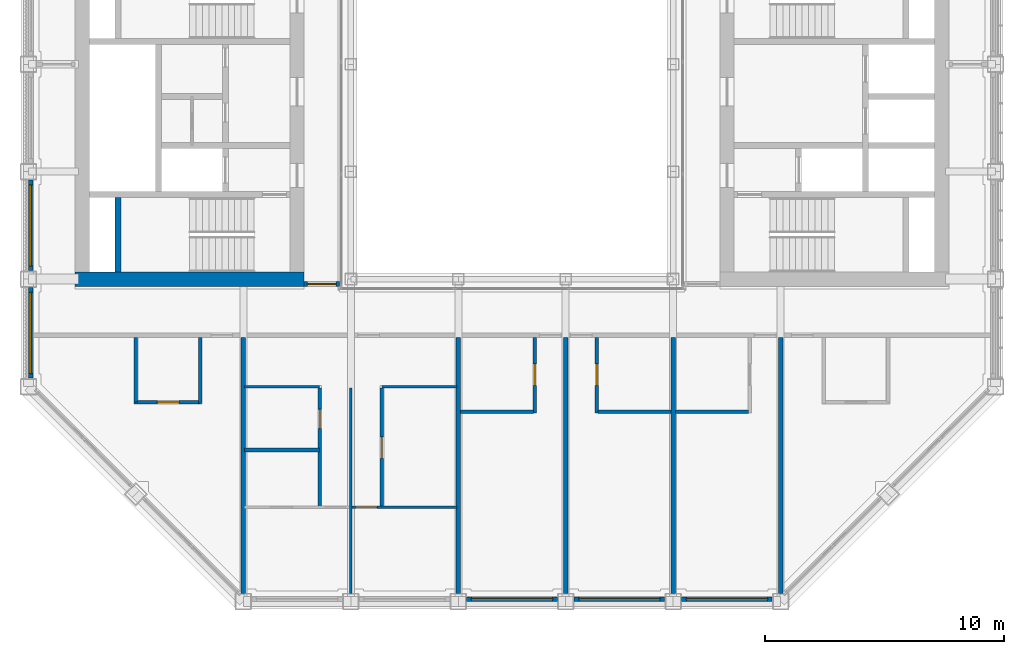
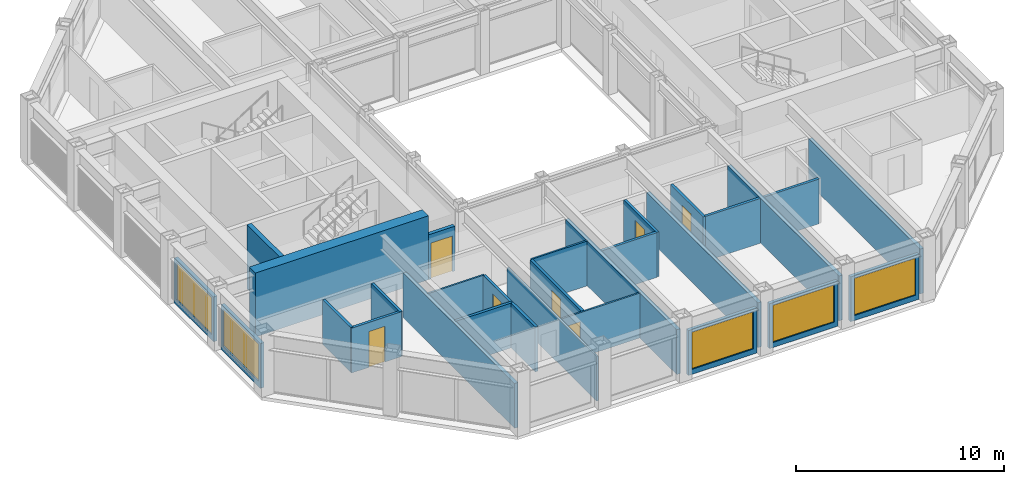
# One storey, part 9 of 18: 28 walls, 7 doors, 5 windows, 12 openings.
"""IFC4 building model written with IfcOpenShell, lengths in metres."""

from ifc_helpers import new_model, si_unit, direction, frame, frame_2d, origin, place, context, subcontext, project, spatial, rectangle, extrude, material, layer, layer_set, type_object, element, fill, save


model = new_model("IFC4")

# Units and contexts
model_context = context("Model", 3, precision=1e-05, world=origin(), true_north=direction((0.0, 1.0)))
body_context = subcontext(model_context, "Body", "Model", "MODEL_VIEW")
ifc_project = project(units=[si_unit("LENGTHUNIT", "METRE"), si_unit("AREAUNIT", "SQUARE_METRE"), si_unit("VOLUMEUNIT", "CUBIC_METRE"), si_unit("PLANEANGLEUNIT", "RADIAN"), si_unit("MASSUNIT", "GRAM", prefix="KILO")], contexts=[model_context])

# Site, building, storey
site_placement = place(None, origin())
site = spatial("IfcSite", under=ifc_project, at=site_placement, CompositionType="ELEMENT")
building_placement = place(site_placement, origin())
building = spatial("IfcBuilding", under=site, at=building_placement, Name="Msasa Ring Tower", CompositionType="ELEMENT")
storey_placement = place(building_placement, frame((0.0, 0.0, 223.300048828125)))
storey = spatial("IfcBuildingStorey", under=building, at=storey_placement, Name="L58", CompositionType="ELEMENT", Elevation=223.300048828125)

# Walls
ifc_material_1 = material(Name="Concrete C60/75", Category="concrete")
ifc_layer_1 = layer(ifc_material_1, 0.60009765625)
ifc_layer_set_1 = layer_set([ifc_layer_1], Name="CW3 CORE WALL 600")
wall_type_1 = type_object("IfcWallType", Name="CW3 CORE WALL 600", PredefinedType="SHEAR", material=ifc_layer_set_1)
wall_1_placement = place(storey_placement, frame((-8.699951171875, -6.75, 0.0), z_axis=(0.0, 0.0, 1.0), x_axis=(-1.0, 0.0, 0.0)))
element("IfcWall", 1, at=wall_1_placement, inside=storey, type_object=wall_type_1, Name="W core wall S L58", PredefinedType="SHEAR", context=body_context, shape_type="SweptSolid", body=[
    extrude(rectangle(XDim=9.60009765625, YDim=0.60009765625, at=frame_2d((4.800048828125, 0.0))), origin(), (0.0, 0.0, 1.0), 3.75),
])
ifc_material_2 = material(Name="Concrete C60/75", Category="concrete")
ifc_layer_2 = layer(ifc_material_2, 0.25)
ifc_layer_set_2 = layer_set([ifc_layer_2], Name="CW4 CORE INNER WALL 250")
wall_type_2 = type_object("IfcWallType", Name="CW4 CORE INNER WALL 250", PredefinedType="SHEAR", material=ifc_layer_set_2)
wall_2_placement = place(storey_placement, frame((-16.5, -6.449951171875, 0.0), z_axis=(0.0, 0.0, 1.0), x_axis=(0.0, 1.0, 0.0)))
element("IfcWall", 2, at=wall_2_placement, inside=storey, type_object=wall_type_2, Name="W core wall RISERA L58", PredefinedType="SHEAR", context=body_context, shape_type="SweptSolid", body=[
    extrude(rectangle(XDim=3.125, YDim=0.25, at=frame_2d((1.5625, 0.0))), origin(), (0.0, 0.0, 1.0), 3.75),
])

# Wall, opening, window
ifc_material_3 = material(Name="Terracotta rainscreen on blockwork", Category="masonry")
ifc_layer_3 = layer(ifc_material_3, 0.199951171875)
ifc_layer_set_3 = layer_set([ifc_layer_3], Name="FW1 TERRACOTTA-LINED INFILL BAY WALL 200")
wall_type_3 = type_object("IfcWallType", Name="FW1 TERRACOTTA-LINED INFILL BAY WALL 200", PredefinedType="SOLIDWALL", material=ifc_layer_set_3)
wall_3_placement = place(storey_placement, frame((-1.89501953125, -20.14990234375, 0.0), z_axis=(0.0, 0.0, 1.0), x_axis=(1.0, 0.0, 0.0)))
wall_3 = element("IfcWall", 3, at=wall_3_placement, inside=storey, type_object=wall_type_3, Name="Infill bay wall S L58 02", PredefinedType="SOLIDWALL", context=body_context, shape_type="SweptSolid", body=[
    extrude(rectangle(XDim=3.7900390625, YDim=0.199951171875, at=frame_2d((1.89501953125, 0.0))), origin(), (0.0, 0.0, 1.0), 2.62890625),
])
opening_1_placement = place(wall_3_placement, frame((0.195068359375, 0.0, 0.300048828125)))
opening_1 = element("IfcOpeningElement", 4, at=opening_1_placement, cuts=wall_3, Name="Opening WN3", PredefinedType="OPENING", context=body_context, shape_type="SweptSolid", body=[
    extrude(rectangle(XDim=3.39990234375, YDim=2.178955078125, at=frame_2d((1.699951171875, 1.08935546875))), frame((0.0, 0.10986328125, 0.0), z_axis=(0.0, -1.0, 0.0), x_axis=(1.0, 0.0, 0.0)), (0.0, 0.0, 1.0), 0.219970703125),
])
ifc_material_4 = material(Name="Aluminium frame with clear glass", Category="aluminium")
window_type = type_object("IfcWindowType", Name="WN3 SUITE WINDOW 3400x2179", PartitioningType="SINGLE_PANEL", PredefinedType="WINDOW", material=ifc_material_4)
window_1_placement = place(opening_1_placement, origin())
window_1 = element("IfcWindow", 5, at=window_1_placement, inside=storey, type_object=window_type, Name="Window S L58 02", OverallHeight=2.178955078125, OverallWidth=3.39990234375, PartitioningType="SINGLE_PANEL", PredefinedType="WINDOW", context=body_context, shape_type="SweptSolid", body=[
    extrude(rectangle(XDim=3.39990234375, YDim=2.178955078125, at=frame_2d((1.699951171875, 1.08935546875))), frame((0.0, 0.030029296875, 0.0), z_axis=(0.0, -1.0, 0.0), x_axis=(1.0, 0.0, 0.0)), (0.0, 0.0, 1.0), 0.06005859375),
])
fill(opening_1, window_1)

wall_4_placement = place(storey_placement, frame((2.60498046875, -20.14990234375, 0.0), z_axis=(0.0, 0.0, 1.0), x_axis=(1.0, 0.0, 0.0)))
wall_4 = element("IfcWall", 6, at=wall_4_placement, inside=storey, type_object=wall_type_3, Name="Infill bay wall S L58 03", PredefinedType="SOLIDWALL", context=body_context, shape_type="SweptSolid", body=[
    extrude(rectangle(XDim=3.7900390625, YDim=0.199951171875, at=frame_2d((1.89501953125, 0.0))), origin(), (0.0, 0.0, 1.0), 2.62890625),
])
opening_2_placement = place(wall_4_placement, frame((0.195068359375, 0.0, 0.300048828125)))
opening_2 = element("IfcOpeningElement", 7, at=opening_2_placement, cuts=wall_4, Name="Opening WN3", PredefinedType="OPENING", context=body_context, shape_type="SweptSolid", body=[
    extrude(rectangle(XDim=3.39990234375, YDim=2.178955078125, at=frame_2d((1.699951171875, 1.08935546875))), frame((0.0, 0.10986328125, 0.0), z_axis=(0.0, -1.0, 0.0), x_axis=(1.0, 0.0, 0.0)), (0.0, 0.0, 1.0), 0.219970703125),
])
window_2_placement = place(opening_2_placement, origin())
window_2 = element("IfcWindow", 8, at=window_2_placement, inside=storey, type_object=window_type, Name="Window S L58 03", OverallHeight=2.178955078125, OverallWidth=3.39990234375, PartitioningType="SINGLE_PANEL", PredefinedType="WINDOW", context=body_context, shape_type="SweptSolid", body=[
    extrude(rectangle(XDim=3.39990234375, YDim=2.178955078125, at=frame_2d((1.699951171875, 1.08935546875))), frame((0.0, 0.030029296875, 0.0), z_axis=(0.0, -1.0, 0.0), x_axis=(1.0, 0.0, 0.0)), (0.0, 0.0, 1.0), 0.06005859375),
])
fill(opening_2, window_2)

wall_5_placement = place(storey_placement, frame((7.10498046875, -20.14990234375, 0.0), z_axis=(0.0, 0.0, 1.0), x_axis=(1.0, 0.0, 0.0)))
wall_5 = element("IfcWall", 9, at=wall_5_placement, inside=storey, type_object=wall_type_3, Name="Infill bay wall S L58 04", PredefinedType="SOLIDWALL", context=body_context, shape_type="SweptSolid", body=[
    extrude(rectangle(XDim=3.7900390625, YDim=0.199951171875, at=frame_2d((1.89501953125, 0.0))), origin(), (0.0, 0.0, 1.0), 2.62890625),
])
opening_3_placement = place(wall_5_placement, frame((0.195068359375, 0.0, 0.300048828125)))
opening_3 = element("IfcOpeningElement", 10, at=opening_3_placement, cuts=wall_5, Name="Opening WN3", PredefinedType="OPENING", context=body_context, shape_type="SweptSolid", body=[
    extrude(rectangle(XDim=3.39990234375, YDim=2.178955078125, at=frame_2d((1.699951171875, 1.08935546875))), frame((0.0, 0.10986328125, 0.0), z_axis=(0.0, -1.0, 0.0), x_axis=(1.0, 0.0, 0.0)), (0.0, 0.0, 1.0), 0.219970703125),
])
window_3_placement = place(opening_3_placement, origin())
window_3 = element("IfcWindow", 11, at=window_3_placement, inside=storey, type_object=window_type, Name="Window S L58 04", OverallHeight=2.178955078125, OverallWidth=3.39990234375, PartitioningType="SINGLE_PANEL", PredefinedType="WINDOW", context=body_context, shape_type="SweptSolid", body=[
    extrude(rectangle(XDim=3.39990234375, YDim=2.178955078125, at=frame_2d((1.699951171875, 1.08935546875))), frame((0.0, 0.030029296875, 0.0), z_axis=(0.0, -1.0, 0.0), x_axis=(1.0, 0.0, 0.0)), (0.0, 0.0, 1.0), 0.06005859375),
])
fill(opening_3, window_3)

wall_6_placement = place(storey_placement, frame((-20.14990234375, -10.89501953125, 0.0), z_axis=(0.0, 0.0, 1.0), x_axis=(0.0, 1.0, 0.0)))
wall_6 = element("IfcWall", 12, at=wall_6_placement, inside=storey, type_object=wall_type_3, Name="Infill bay wall W L58 21", PredefinedType="SOLIDWALL", context=body_context, shape_type="SweptSolid", body=[
    extrude(rectangle(XDim=3.7900390625, YDim=0.199951171875, at=frame_2d((1.89501953125, 0.0))), origin(), (0.0, 0.0, 1.0), 2.62890625),
])
opening_4_placement = place(wall_6_placement, frame((0.195068359375, 0.0, 0.300048828125)))
opening_4 = element("IfcOpeningElement", 13, at=opening_4_placement, cuts=wall_6, Name="Opening WN3", PredefinedType="OPENING", context=body_context, shape_type="SweptSolid", body=[
    extrude(rectangle(XDim=3.39990234375, YDim=2.178955078125, at=frame_2d((1.699951171875, 1.08935546875))), frame((0.0, 0.10986328125, 0.0), z_axis=(0.0, -1.0, 0.0), x_axis=(1.0, 0.0, 0.0)), (0.0, 0.0, 1.0), 0.219970703125),
])
window_4_placement = place(opening_4_placement, origin())
window_4 = element("IfcWindow", 14, at=window_4_placement, inside=storey, type_object=window_type, Name="Window W L58 21", OverallHeight=2.178955078125, OverallWidth=3.39990234375, PartitioningType="SINGLE_PANEL", PredefinedType="WINDOW", context=body_context, shape_type="SweptSolid", body=[
    extrude(rectangle(XDim=3.39990234375, YDim=2.178955078125, at=frame_2d((1.699951171875, 1.08935546875))), frame((0.0, 0.030029296875, 0.0), z_axis=(0.0, -1.0, 0.0), x_axis=(1.0, 0.0, 0.0)), (0.0, 0.0, 1.0), 0.06005859375),
])
fill(opening_4, window_4)

wall_7_placement = place(storey_placement, frame((-20.14990234375, -6.39501953125, 0.0), z_axis=(0.0, 0.0, 1.0), x_axis=(0.0, 1.0, 0.0)))
wall_7 = element("IfcWall", 15, at=wall_7_placement, inside=storey, type_object=wall_type_3, Name="Infill bay wall W L58 22", PredefinedType="SOLIDWALL", context=body_context, shape_type="SweptSolid", body=[
    extrude(rectangle(XDim=3.7900390625, YDim=0.199951171875, at=frame_2d((1.89501953125, 0.0))), origin(), (0.0, 0.0, 1.0), 2.62890625),
])
opening_5_placement = place(wall_7_placement, frame((0.195068359375, 0.0, 0.300048828125)))
opening_5 = element("IfcOpeningElement", 16, at=opening_5_placement, cuts=wall_7, Name="Opening WN3", PredefinedType="OPENING", context=body_context, shape_type="SweptSolid", body=[
    extrude(rectangle(XDim=3.39990234375, YDim=2.178955078125, at=frame_2d((1.699951171875, 1.08935546875))), frame((0.0, 0.10986328125, 0.0), z_axis=(0.0, -1.0, 0.0), x_axis=(1.0, 0.0, 0.0)), (0.0, 0.0, 1.0), 0.219970703125),
])
window_5_placement = place(opening_5_placement, origin())
window_5 = element("IfcWindow", 17, at=window_5_placement, inside=storey, type_object=window_type, Name="Window W L58 22", OverallHeight=2.178955078125, OverallWidth=3.39990234375, PartitioningType="SINGLE_PANEL", PredefinedType="WINDOW", context=body_context, shape_type="SweptSolid", body=[
    extrude(rectangle(XDim=3.39990234375, YDim=2.178955078125, at=frame_2d((1.699951171875, 1.08935546875))), frame((0.0, 0.030029296875, 0.0), z_axis=(0.0, -1.0, 0.0), x_axis=(1.0, 0.0, 0.0)), (0.0, 0.0, 1.0), 0.06005859375),
])
fill(opening_5, window_5)

# Wall, opening, door
ifc_material_5 = material(Name="Concrete blockwork", Category="masonry")
ifc_layer_4 = layer(ifc_material_5, 0.199951171875)
ifc_layer_set_4 = layer_set([ifc_layer_4], Name="PT1 CORRIDOR WALL 200")
wall_type_4 = type_object("IfcWallType", Name="PT1 CORRIDOR WALL 200", PredefinedType="PARTITIONING", material=ifc_layer_set_4)
wall_8_placement = place(storey_placement, frame((-8.699951171875, -6.949951171875, 0.0), z_axis=(0.0, 0.0, 1.0), x_axis=(1.0, 0.0, 0.0)))
wall_8 = element("IfcWall", 18, at=wall_8_placement, inside=storey, type_object=wall_type_4, Name="Corridor wall L58-SDWS", PredefinedType="PARTITIONING", context=body_context, shape_type="SweptSolid", body=[
    extrude(rectangle(XDim=1.469970703125, YDim=0.199951171875, at=frame_2d((0.73486328125, 0.0))), origin(), (0.0, 0.0, 1.0), 2.62890625),
])
opening_6_placement = place(wall_8_placement, frame((0.135009765625, 0.0, 0.0)))
opening_6 = element("IfcOpeningElement", 19, at=opening_6_placement, cuts=wall_8, Name="Opening SC-034", PredefinedType="OPENING", context=body_context, shape_type="SweptSolid", body=[
    extrude(rectangle(XDim=1.199951171875, YDim=2.10009765625, at=frame_2d((0.60009765625, 1.050048828125))), frame((0.0, 0.10986328125, 0.0), z_axis=(0.0, -1.0, 0.0), x_axis=(1.0, 0.0, 0.0)), (0.0, 0.0, 1.0), 0.219970703125),
])
ifc_material_6 = material(Name="Timber door leaf in a steel frame", Category="steel")
door_type_1 = type_object("IfcDoorType", Name="D25 CORRIDOR PAIR OF SMOKE DOORS 1200x2100", OperationType="DOUBLE_DOOR_DOUBLE_SWING", PredefinedType="DOOR", material=ifc_material_6)
door_1_placement = place(opening_6_placement, origin())
door_1 = element("IfcDoor", 20, at=door_1_placement, inside=storey, type_object=door_type_1, Name="Door L58-SDWS", OperationType="DOUBLE_DOOR_DOUBLE_SWING", OverallHeight=2.10009765625, OverallWidth=1.199951171875, PredefinedType="DOOR", context=body_context, shape_type="SweptSolid", body=[
    extrude(rectangle(XDim=1.199951171875, YDim=2.10009765625, at=frame_2d((0.60009765625, 1.050048828125))), frame((0.0, 0.02490234375, 0.0), z_axis=(0.0, -1.0, 0.0), x_axis=(1.0, 0.0, 0.0)), (0.0, 0.0, 1.0), 0.050048828125),
])
fill(opening_6, door_1)

# Wall
ifc_material_7 = material(Name="Gypsum board on steel studs", Category="steel")
ifc_layer_5 = layer(ifc_material_7, 0.10009765625)
ifc_layer_set_5 = layer_set([ifc_layer_5], Name="PT2 STUD PARTITION 100")
wall_type_5 = type_object("IfcWallType", Name="PT2 STUD PARTITION 100", PredefinedType="PARTITIONING", material=ifc_layer_set_5)
wall_9_placement = place(storey_placement, frame((-5.449951171875, -11.25, 0.0), z_axis=(0.0, 0.0, 1.0), x_axis=(1.0, 0.0, 0.0)))
element("IfcWall", 21, at=wall_9_placement, inside=storey, type_object=wall_type_5, Name="Partition L58-JS00HY0", PredefinedType="PARTITIONING", context=body_context, shape_type="SweptSolid", body=[
    extrude(rectangle(XDim=3.139892578125, YDim=0.10009765625, at=frame_2d((1.56982421875, 0.0))), origin(), (0.0, 0.0, 1.0), 2.62890625),
])

# Wall, opening, door
wall_10_placement = place(storey_placement, frame((-6.699951171875, -16.300048828125, 0.0), z_axis=(0.0, 0.0, 1.0), x_axis=(1.0, 0.0, 0.0)))
wall_10 = element("IfcWall", 22, at=wall_10_placement, inside=storey, type_object=wall_type_5, Name="Partition L58-JS00SY0", PredefinedType="PARTITIONING", context=body_context, shape_type="SweptSolid", body=[
    extrude(rectangle(XDim=4.389892578125, YDim=0.10009765625, at=frame_2d((2.19482421875, 0.0))), origin(), (0.0, 0.0, 1.0), 2.62890625),
])
opening_7_placement = place(wall_10_placement, frame((0.14990234375, 0.0, 0.0)))
opening_7 = element("IfcOpeningElement", 23, at=opening_7_placement, cuts=wall_10, Name="Opening SC-051", PredefinedType="OPENING", context=body_context, shape_type="SweptSolid", body=[
    extrude(rectangle(XDim=0.89990234375, YDim=2.10009765625, at=frame_2d((0.449951171875, 1.050048828125))), frame((0.0, 0.06005859375, 0.0), z_axis=(0.0, -1.0, 0.0), x_axis=(1.0, 0.0, 0.0)), (0.0, 0.0, 1.0), 0.1201171875),
])
ifc_material_8 = material(Name="Timber door leaf in a steel frame", Category="steel")
door_type_2 = type_object("IfcDoorType", Name="D22 INTERNAL HALL DOOR 900x2100", OperationType="SINGLE_SWING_LEFT", PredefinedType="DOOR", material=ifc_material_8)
door_2_placement = place(opening_7_placement, origin())
door_2 = element("IfcDoor", 24, at=door_2_placement, inside=storey, type_object=door_type_2, Name="Door L58-JS00L", OperationType="SINGLE_SWING_LEFT", OverallHeight=2.10009765625, OverallWidth=0.89990234375, PredefinedType="DOOR", context=body_context, shape_type="SweptSolid", body=[
    extrude(rectangle(XDim=0.89990234375, YDim=2.10009765625, at=frame_2d((0.449951171875, 1.050048828125))), frame((0.0, 0.02490234375, 0.0), z_axis=(0.0, -1.0, 0.0), x_axis=(1.0, 0.0, 0.0)), (0.0, 0.0, 1.0), 0.050048828125),
])
fill(opening_7, door_2)

# Walls
wall_11_placement = place(storey_placement, frame((-6.75, -19.89990234375, 0.0), z_axis=(0.0, 0.0, 1.0), x_axis=(0.0, 1.0, 0.0)))
element("IfcWall", 25, at=wall_11_placement, inside=storey, type_object=wall_type_5, Name="Partition L58-JS00P1", PredefinedType="PARTITIONING", context=body_context, shape_type="SweptSolid", body=[
    extrude(rectangle(XDim=8.599853515625, YDim=0.10009765625, at=frame_2d((4.2998046875, 0.0))), origin(), (0.0, 0.0, 1.0), 2.62890625),
])
wall_12_placement = place(storey_placement, frame((-11.18994140625, -11.25, 0.0), z_axis=(0.0, 0.0, 1.0), x_axis=(1.0, 0.0, 0.0)))
element("IfcWall", 26, at=wall_12_placement, inside=storey, type_object=wall_type_5, Name="Partition L58-JS00HY1", PredefinedType="PARTITIONING", context=body_context, shape_type="SweptSolid", body=[
    extrude(rectangle(XDim=3.139892578125, YDim=0.10009765625, at=frame_2d((1.56982421875, 0.0))), origin(), (0.0, 0.0, 1.0), 2.62890625),
])
ifc_material_9 = material(Name="Dense concrete blockwork, plastered both faces", Category="masonry")
ifc_layer_6 = layer(ifc_material_9, 0.25)
ifc_layer_set_6 = layer_set([ifc_layer_6], Name="PT3 APARTMENT SEPARATING WALL 250")
wall_type_6 = type_object("IfcWallType", Name="PT3 APARTMENT SEPARATING WALL 250", PredefinedType="PARTITIONING", material=ifc_layer_set_6)
for number, where, z_axis, x_axis, name in (
    (27, (-11.25, -19.89990234375, 0.0), (0.0, 0.0, 1.0), (0.0, 1.0, 0.0), "Party wall L58-PWS-11.25"),
    (28, (-2.25, -19.89990234375, 0.0), (0.0, 0.0, 1.0), (0.0, 1.0, 0.0), "Party wall L58-PWS-2.25"),
    (29, (2.25, -19.89990234375, 0.0), (0.0, 0.0, 1.0), (0.0, 1.0, 0.0), "Party wall L58-PWS+2.25"),
    (30, (6.75, -19.89990234375, 0.0), (0.0, 0.0, 1.0), (0.0, 1.0, 0.0), "Party wall L58-PWS+6.75"),
    (31, (11.25, -19.89990234375, 0.0), (0.0, 0.0, 1.0), (0.0, 1.0, 0.0), "Party wall L58-PWS+11.25"),
):
    element("IfcWall", number, at=place(storey_placement, frame(where, z_axis=z_axis, x_axis=x_axis)), inside=storey, type_object=wall_type_6, Name=name, PredefinedType="PARTITIONING", context=body_context, shape_type="SweptSolid", body=[
        extrude(rectangle(XDim=10.699951171875, YDim=0.199951171875, at=frame_2d((5.35009765625, 0.0))), origin(), (0.0, 0.0, 1.0), 2.62890625),
    ])

# Wall, opening, door
ifc_material_10 = material(Name="Moisture-resistant board on steel studs with a concealed cistern and pipe void, tiled", Category="steel")
ifc_layer_7 = layer(ifc_material_10, 0.14990234375)
ifc_layer_set_7 = layer_set([ifc_layer_7], Name="PT4 BATHROOM WET WALL 150")
wall_type_7 = type_object("IfcWallType", Name="PT4 BATHROOM WET WALL 150", PredefinedType="PARTITIONING", material=ifc_layer_set_7)
wall_13_placement = place(storey_placement, frame((-5.449951171875, -16.300048828125, 0.0), z_axis=(0.0, 0.0, 1.0), x_axis=(0.0, 1.0, 0.0)))
wall_13 = element("IfcWall", 32, at=wall_13_placement, inside=storey, type_object=wall_type_7, Name="Partition L58-JS00SX0", PredefinedType="PARTITIONING", context=body_context, shape_type="SweptSolid", body=[
    extrude(rectangle(XDim=5.0, YDim=0.14990234375, at=frame_2d((2.5, 0.0))), origin(), (0.0, 0.0, 1.0), 2.62890625),
])
opening_8_placement = place(wall_13_placement, frame((2.050048828125, 0.0, 0.0)))
opening_8 = element("IfcOpeningElement", 33, at=opening_8_placement, cuts=wall_13, Name="Opening SC-048", PredefinedType="OPENING", context=body_context, shape_type="SweptSolid", body=[
    extrude(rectangle(XDim=0.89990234375, YDim=2.10009765625, at=frame_2d((0.449951171875, 1.050048828125))), frame((0.0, 0.0849609375, 0.0), z_axis=(0.0, -1.0, 0.0), x_axis=(1.0, 0.0, 0.0)), (0.0, 0.0, 1.0), 0.169921875),
])
door_3_placement = place(opening_8_placement, origin())
door_3 = element("IfcDoor", 34, at=door_3_placement, inside=storey, type_object=door_type_2, Name="Door L58-JS00K", OperationType="SINGLE_SWING_LEFT", OverallHeight=2.10009765625, OverallWidth=0.89990234375, PredefinedType="DOOR", context=body_context, shape_type="SweptSolid", body=[
    extrude(rectangle(XDim=0.89990234375, YDim=2.10009765625, at=frame_2d((0.449951171875, 1.050048828125))), frame((0.0, 0.02490234375, 0.0), z_axis=(0.0, -1.0, 0.0), x_axis=(1.0, 0.0, 0.0)), (0.0, 0.0, 1.0), 0.050048828125),
])
fill(opening_8, door_3)

wall_14_placement = place(storey_placement, frame((-8.050048828125, -16.300048828125, 0.0), z_axis=(0.0, 0.0, 1.0), x_axis=(0.0, 1.0, 0.0)))
wall_14 = element("IfcWall", 35, at=wall_14_placement, inside=storey, type_object=wall_type_7, Name="Partition L58-JS00SX1", PredefinedType="PARTITIONING", context=body_context, shape_type="SweptSolid", body=[
    extrude(rectangle(XDim=5.0, YDim=0.14990234375, at=frame_2d((2.5, 0.0))), origin(), (0.0, 0.0, 1.0), 2.62890625),
])
opening_9_placement = place(wall_14_placement, frame((3.300048828125, 0.0, 0.0)))
opening_9 = element("IfcOpeningElement", 36, at=opening_9_placement, cuts=wall_14, Name="Opening SC-047", PredefinedType="OPENING", context=body_context, shape_type="SweptSolid", body=[
    extrude(rectangle(XDim=0.800048828125, YDim=2.10009765625, at=frame_2d((0.39990234375, 1.050048828125))), frame((0.0, 0.0849609375, 0.0), z_axis=(0.0, -1.0, 0.0), x_axis=(1.0, 0.0, 0.0)), (0.0, 0.0, 1.0), 0.169921875),
])
ifc_material_11 = material(Name="Timber door leaf in a steel frame", Category="steel")
door_type_3 = type_object("IfcDoorType", Name="D60 DRESSING ROOM DOOR 800x2100", OperationType="SINGLE_SWING_LEFT", PredefinedType="DOOR", material=ifc_material_11)
door_4_placement = place(opening_9_placement, origin())
door_4 = element("IfcDoor", 37, at=door_4_placement, inside=storey, type_object=door_type_3, Name="Door L58-JS00W1", OperationType="SINGLE_SWING_RIGHT", OverallHeight=2.10009765625, OverallWidth=0.800048828125, PredefinedType="DOOR", context=body_context, shape_type="SweptSolid", body=[
    extrude(rectangle(XDim=0.800048828125, YDim=2.10009765625, at=frame_2d((0.39990234375, 1.050048828125))), frame((0.0, 0.02490234375, 0.0), z_axis=(0.0, -1.0, 0.0), x_axis=(1.0, 0.0, 0.0)), (0.0, 0.0, 1.0), 0.050048828125),
])
fill(opening_9, door_4)

# Wall
wall_15_placement = place(storey_placement, frame((-11.18994140625, -13.89990234375, 0.0), z_axis=(0.0, 0.0, 1.0), x_axis=(1.0, 0.0, 0.0)))
element("IfcWall", 38, at=wall_15_placement, inside=storey, type_object=wall_type_7, Name="Partition L58-JS00SB1", PredefinedType="PARTITIONING", context=body_context, shape_type="SweptSolid", body=[
    extrude(rectangle(XDim=3.139892578125, YDim=0.14990234375, at=frame_2d((1.56982421875, 0.0))), origin(), (0.0, 0.0, 1.0), 2.62890625),
])

# Wall, opening, door
wall_16_placement = place(storey_placement, frame((0.949951171875, -12.35009765625, 0.0), z_axis=(0.0, 0.0, 1.0), x_axis=(0.0, 1.0, 0.0)))
wall_16 = element("IfcWall", 39, at=wall_16_placement, inside=storey, type_object=wall_type_7, Name="Partition L58-JS01BX", PredefinedType="PARTITIONING", context=body_context, shape_type="SweptSolid", body=[
    extrude(rectangle(XDim=3.150146484375, YDim=0.14990234375, at=frame_2d((1.5751953125, 0.0))), origin(), (0.0, 0.0, 1.0), 2.62890625),
])
opening_10_placement = place(wall_16_placement, frame((1.14990234375, 0.0, 0.0)))
opening_10 = element("IfcOpeningElement", 40, at=opening_10_placement, cuts=wall_16, Name="Opening SC-042", PredefinedType="OPENING", context=body_context, shape_type="SweptSolid", body=[
    extrude(rectangle(XDim=0.89990234375, YDim=2.10009765625, at=frame_2d((0.449951171875, 1.050048828125))), frame((0.0, 0.0849609375, 0.0), z_axis=(0.0, -1.0, 0.0), x_axis=(1.0, 0.0, 0.0)), (0.0, 0.0, 1.0), 0.169921875),
])
ifc_material_12 = material(Name="Timber door leaf in a steel frame", Category="steel")
door_type_4 = type_object("IfcDoorType", Name="D3 BATHROOM DOOR 900x2100", OperationType="SINGLE_SWING_LEFT", PredefinedType="DOOR", material=ifc_material_12)
door_5_placement = place(opening_10_placement, origin())
door_5 = element("IfcDoor", 41, at=door_5_placement, inside=storey, type_object=door_type_4, Name="Door L58-JS01B", OperationType="SINGLE_SWING_LEFT", OverallHeight=2.10009765625, OverallWidth=0.89990234375, PredefinedType="DOOR", context=body_context, shape_type="SweptSolid", body=[
    extrude(rectangle(XDim=0.89990234375, YDim=2.10009765625, at=frame_2d((0.449951171875, 1.050048828125))), frame((0.0, 0.02490234375, 0.0), z_axis=(0.0, -1.0, 0.0), x_axis=(1.0, 0.0, 0.0)), (0.0, 0.0, 1.0), 0.050048828125),
])
fill(opening_10, door_5)

# Wall
wall_17_placement = place(storey_placement, frame((-2.14990234375, -12.300048828125, 0.0), z_axis=(0.0, 0.0, 1.0), x_axis=(1.0, 0.0, 0.0)))
element("IfcWall", 42, at=wall_17_placement, inside=storey, type_object=wall_type_7, Name="Partition L58-JS01BY", PredefinedType="PARTITIONING", context=body_context, shape_type="SweptSolid", body=[
    extrude(rectangle(XDim=3.0498046875, YDim=0.14990234375, at=frame_2d((1.52490234375, 0.0))), origin(), (0.0, 0.0, 1.0), 2.62890625),
])

# Wall, opening, door
wall_18_placement = place(storey_placement, frame((3.550048828125, -12.35009765625, 0.0), z_axis=(0.0, 0.0, 1.0), x_axis=(0.0, 1.0, 0.0)))
wall_18 = element("IfcWall", 43, at=wall_18_placement, inside=storey, type_object=wall_type_7, Name="Partition L58-JS02BX", PredefinedType="PARTITIONING", context=body_context, shape_type="SweptSolid", body=[
    extrude(rectangle(XDim=3.150146484375, YDim=0.14990234375, at=frame_2d((1.5751953125, 0.0))), origin(), (0.0, 0.0, 1.0), 2.62890625),
])
opening_11_placement = place(wall_18_placement, frame((1.14990234375, 0.0, 0.0)))
opening_11 = element("IfcOpeningElement", 44, at=opening_11_placement, cuts=wall_18, Name="Opening SC-043", PredefinedType="OPENING", context=body_context, shape_type="SweptSolid", body=[
    extrude(rectangle(XDim=0.89990234375, YDim=2.10009765625, at=frame_2d((0.449951171875, 1.050048828125))), frame((0.0, 0.0849609375, 0.0), z_axis=(0.0, -1.0, 0.0), x_axis=(1.0, 0.0, 0.0)), (0.0, 0.0, 1.0), 0.169921875),
])
door_6_placement = place(opening_11_placement, origin())
door_6 = element("IfcDoor", 45, at=door_6_placement, inside=storey, type_object=door_type_4, Name="Door L58-JS02B", OperationType="SINGLE_SWING_LEFT", OverallHeight=2.10009765625, OverallWidth=0.89990234375, PredefinedType="DOOR", context=body_context, shape_type="SweptSolid", body=[
    extrude(rectangle(XDim=0.89990234375, YDim=2.10009765625, at=frame_2d((0.449951171875, 1.050048828125))), frame((0.0, 0.02490234375, 0.0), z_axis=(0.0, -1.0, 0.0), x_axis=(1.0, 0.0, 0.0)), (0.0, 0.0, 1.0), 0.050048828125),
])
fill(opening_11, door_6)

# Walls
for number, where, z_axis, x_axis, name in (
    (46, (3.60009765625, -12.300048828125, 0.0), (0.0, 0.0, 1.0), (1.0, 0.0, 0.0), "Partition L58-JS02BY"),
    (47, (6.85009765625, -12.300048828125, 0.0), (0.0, 0.0, 1.0), (1.0, 0.0, 0.0), "Partition L58-JS03BY"),
):
    element("IfcWall", number, at=place(storey_placement, frame(where, z_axis=z_axis, x_axis=x_axis)), inside=storey, type_object=wall_type_7, Name=name, PredefinedType="PARTITIONING", context=body_context, shape_type="SweptSolid", body=[
        extrude(rectangle(XDim=3.0498046875, YDim=0.14990234375, at=frame_2d((1.52490234375, 0.0))), origin(), (0.0, 0.0, 1.0), 2.62890625),
    ])
wall_19_placement = place(storey_placement, frame((-13.050048828125, -11.949951171875, 0.0), z_axis=(0.0, 0.0, 1.0), x_axis=(0.0, 1.0, 0.0)))
element("IfcWall", 48, at=wall_19_placement, inside=storey, type_object=wall_type_7, Name="Partition L58-CSSWBX", PredefinedType="PARTITIONING", context=body_context, shape_type="SweptSolid", body=[
    extrude(rectangle(XDim=2.75, YDim=0.14990234375, at=frame_2d((1.375, 0.0))), origin(), (0.0, 0.0, 1.0), 2.62890625),
])

# Wall, opening, door
wall_20_placement = place(storey_placement, frame((-15.824951171875, -11.89990234375, 0.0), z_axis=(0.0, 0.0, 1.0), x_axis=(1.0, 0.0, 0.0)))
wall_20 = element("IfcWall", 49, at=wall_20_placement, inside=storey, type_object=wall_type_7, Name="Partition L58-CSSWBY", PredefinedType="PARTITIONING", context=body_context, shape_type="SweptSolid", body=[
    extrude(rectangle(XDim=2.77490234375, YDim=0.14990234375, at=frame_2d((1.387451171875, 0.0))), origin(), (0.0, 0.0, 1.0), 2.62890625),
])
opening_12_placement = place(wall_20_placement, frame((0.97509765625, 0.0, 0.0)))
opening_12 = element("IfcOpeningElement", 50, at=opening_12_placement, cuts=wall_20, Name="Opening SC-045", PredefinedType="OPENING", context=body_context, shape_type="SweptSolid", body=[
    extrude(rectangle(XDim=0.89990234375, YDim=2.10009765625, at=frame_2d((0.449951171875, 1.050048828125))), frame((0.0, 0.0849609375, 0.0), z_axis=(0.0, -1.0, 0.0), x_axis=(1.0, 0.0, 0.0)), (0.0, 0.0, 1.0), 0.169921875),
])
door_7_placement = place(opening_12_placement, origin())
door_7 = element("IfcDoor", 51, at=door_7_placement, inside=storey, type_object=door_type_4, Name="Door L58-CSSWB1", OperationType="SINGLE_SWING_RIGHT", OverallHeight=2.10009765625, OverallWidth=0.89990234375, PredefinedType="DOOR", context=body_context, shape_type="SweptSolid", body=[
    extrude(rectangle(XDim=0.89990234375, YDim=2.10009765625, at=frame_2d((0.449951171875, 1.050048828125))), frame((0.0, 0.02490234375, 0.0), z_axis=(0.0, -1.0, 0.0), x_axis=(1.0, 0.0, 0.0)), (0.0, 0.0, 1.0), 0.050048828125),
])
fill(opening_12, door_7)

# Wall
wall_21_placement = place(storey_placement, frame((-15.75, -11.89990234375, 0.0), z_axis=(0.0, 0.0, 1.0), x_axis=(0.0, 1.0, 0.0)))
element("IfcWall", 52, at=wall_21_placement, inside=storey, type_object=wall_type_7, Name="Partition L58-CSSWBE", PredefinedType="PARTITIONING", context=body_context, shape_type="SweptSolid", body=[
    extrude(rectangle(XDim=2.699951171875, YDim=0.14990234375, at=frame_2d((1.35009765625, 0.0))), origin(), (0.0, 0.0, 1.0), 2.62890625),
])

save(model, "model.ifc")
